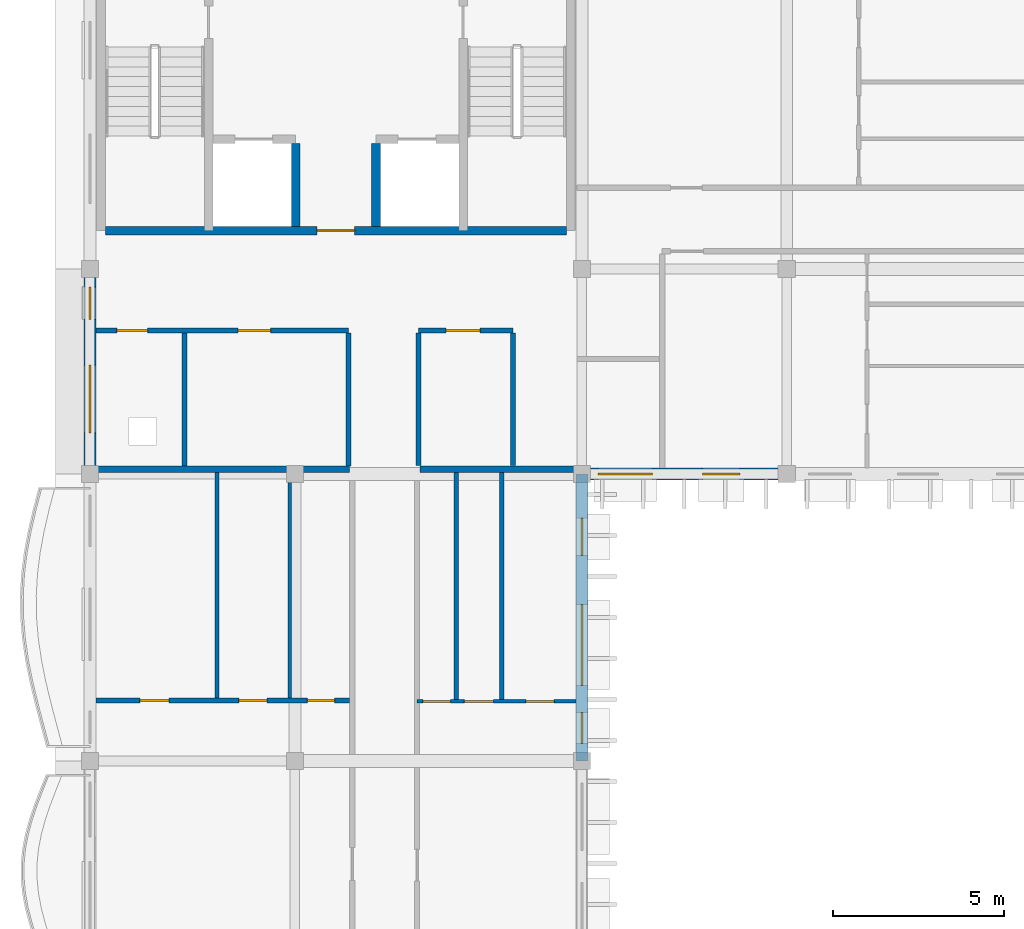
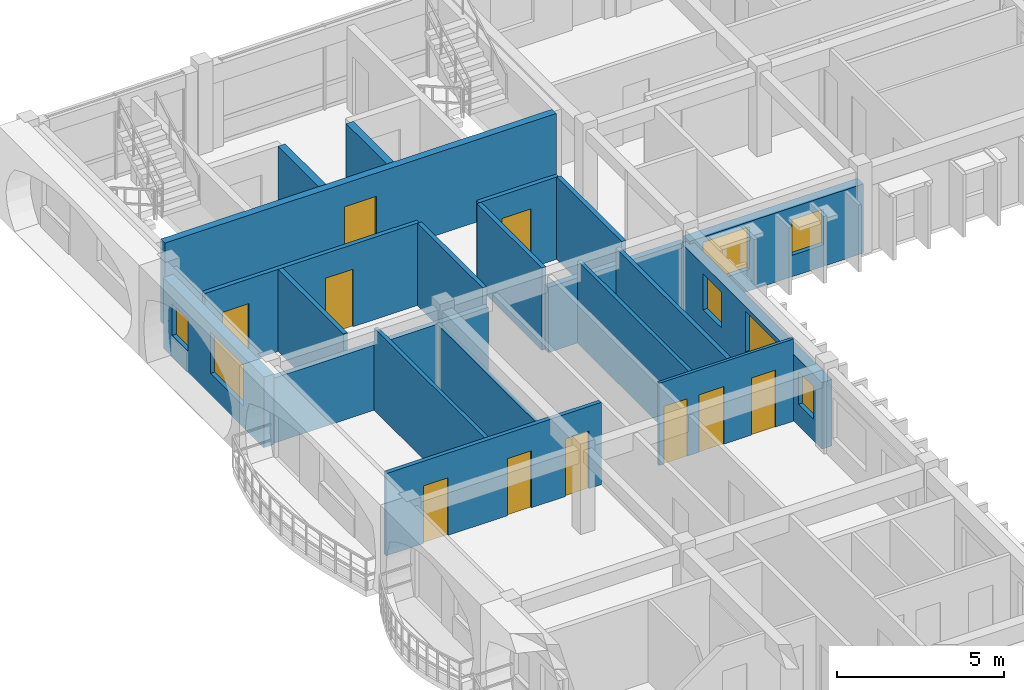
# One storey, part 5 of 11: 20 walls, 10 doors, 7 windows, 17 openings.
"""IFC4 building model written with IfcOpenShell, lengths in metres."""

import ifcopenshell
import ifcopenshell.guid

model = None  # the IFC model being written
_history = None  # IfcOwnerHistory: only IFC2X3 demands one
_inside = {}  # id of a spatial element -> (the spatial element, [elements in it])
_under = {}  # id of a project, library or spatial element -> (it, [spatial elements below it])
_declared = {}  # id of a project -> (the project, [libraries it declares])
_typed = {}  # id of a type object -> (the type object, [elements of that type])
_made_of = {}  # id of a material, layer set ... -> (it, [elements and type objects made of it])


def new_model(schema):
    """Start an empty IFC model of exactly this schema.

    Asked for "IFC4X3", IfcOpenShell would pick the latest addendum, in which some entities
    have other attributes; the version numbers below select the first issue.
    IFC2X3 requires an IfcOwnerHistory on every rooted entity: one is made here for all.
    """
    global model, _history
    if schema == "IFC4X3":
        model = ifcopenshell.file(schema_version=(4, 3, 0, 0))
    else:
        model = ifcopenshell.file(schema=schema)
    _inside.clear()
    _under.clear()
    _declared.clear()
    _typed.clear()
    _made_of.clear()
    _history = None
    if model.schema == "IFC2X3":
        org = make("IfcOrganization", Name="unknown")
        user = make(
            "IfcPersonAndOrganization",
            ThePerson=make("IfcPerson", FamilyName="unknown"),
            TheOrganization=org,
        )
        app = make(
            "IfcApplication",
            ApplicationDeveloper=org,
            Version="unknown",
            ApplicationFullName="unknown",
            ApplicationIdentifier="unknown",
        )
        _history = make(
            "IfcOwnerHistory",
            OwningUser=user,
            OwningApplication=app,
            ChangeAction="ADDED",
            CreationDate=0,
        )
    return model


def make(cls, **values):
    """One entity of the class cls with the attributes given. An attribute that is None is left unset."""
    return model.create_entity(
        cls, **{name: value for name, value in values.items() if value is not None}
    )


def rooted(cls, **values):
    """An entity with a GlobalId (a new one), such as an element, a storey or a relation."""
    return make(cls, GlobalId=ifcopenshell.guid.new(), OwnerHistory=_history, **values)


def si_unit(unit_type, name, prefix=None):
    """IfcSIUnit, for example si_unit("LENGTHUNIT", "METRE", prefix="MILLI")."""
    return make("IfcSIUnit", UnitType=unit_type, Prefix=prefix, Name=name)


def assignment(units):
    """IfcUnitAssignment: the units of a project."""
    return None if units is None else make("IfcUnitAssignment", Units=units)


def point(xyz):
    """IfcCartesianPoint."""
    return None if xyz is None else make("IfcCartesianPoint", Coordinates=xyz)


def direction(xyz):
    """IfcDirection."""
    return None if xyz is None else make("IfcDirection", DirectionRatios=xyz)


def frame(location, z_axis=None, x_axis=None):
    """IfcAxis2Placement3D, a coordinate frame: its origin and axes. An axis left out is left unset."""
    return make(
        "IfcAxis2Placement3D",
        Location=point(location),
        Axis=direction(z_axis),
        RefDirection=direction(x_axis),
    )


def frame_2d(location, x_axis=None):
    """IfcAxis2Placement2D, a coordinate frame in the plane: its origin and x axis."""
    return make(
        "IfcAxis2Placement2D", Location=point(location), RefDirection=direction(x_axis)
    )


def origin():
    """The frame at (0, 0, 0) with its axes left unset."""
    return frame((0.0, 0.0, 0.0))


def place(relative_to, where):
    """IfcLocalPlacement: puts the frame where relative to a parent placement (None: the world)."""
    return make(
        "IfcLocalPlacement", PlacementRelTo=relative_to, RelativePlacement=where
    )


def context(
    kind, dimensions, precision=None, world=None, true_north=None, identifier=None
):
    """IfcGeometricRepresentationContext, for example the 3D "Model" context."""
    return make(
        "IfcGeometricRepresentationContext",
        ContextIdentifier=identifier,
        ContextType=kind,
        CoordinateSpaceDimension=dimensions,
        Precision=precision,
        WorldCoordinateSystem=world,
        TrueNorth=true_north,
    )


def subcontext(parent, identifier, kind, view, scale=None):
    """IfcGeometricRepresentationSubContext, for example "Body" below "Model"."""
    return make(
        "IfcGeometricRepresentationSubContext",
        ContextIdentifier=identifier,
        ContextType=kind,
        ParentContext=parent,
        TargetScale=scale,
        TargetView=view,
    )


def project(units=None, contexts=None):
    """IfcProject with its units and contexts."""
    return rooted(
        "IfcProject",
        Name="project",
        RepresentationContexts=contexts,
        UnitsInContext=assignment(units),
    )


def spatial(cls, under=None, at=None, **own):
    """A site, building, storey or space (cls), placed at a placement, below another one or the project."""
    s = rooted(cls, ObjectPlacement=at, **own)
    if under is not None:
        _under.setdefault(under.id(), (under, []))[1].append(s)
    return s


def profile(cls, at=None, kind="AREA", **sizes):
    """A parametric profile (cls). Its sizes go by their IFC names, for example OverallWidth=200.0."""
    return make(cls, ProfileType=kind, Position=at, **sizes)


def rectangle(**sizes):
    """IfcRectangleProfileDef."""
    return profile("IfcRectangleProfileDef", **sizes)


def extrude(swept, where, along, depth):
    """IfcExtrudedAreaSolid: the profile swept, set in the frame where, extruded along a direction by depth."""
    return make(
        "IfcExtrudedAreaSolid",
        SweptArea=swept,
        Position=where,
        ExtrudedDirection=direction(along),
        Depth=depth,
    )


def shape(context_of_items, identifier, shape_type, items):
    """IfcShapeRepresentation: the items that make up one representation, for example the "Body"."""
    return make(
        "IfcShapeRepresentation",
        ContextOfItems=context_of_items,
        RepresentationIdentifier=identifier,
        RepresentationType=shape_type,
        Items=items,
    )


def material(Name=None, Category=None):
    """IfcMaterial."""
    return make("IfcMaterial", Name=Name, Category=Category)


def layer(
    of_material, thickness, ventilated=None, Name=None, Category=None, Priority=None
):
    """IfcMaterialLayer: one layer of a wall or slab, of a material (None: an air gap)."""
    return make(
        "IfcMaterialLayer",
        Material=of_material,
        LayerThickness=thickness,
        IsVentilated=ventilated,
        Name=Name,
        Category=Category,
        Priority=Priority,
    )


def layer_set(layers, Name=None):
    """IfcMaterialLayerSet."""
    return make("IfcMaterialLayerSet", MaterialLayers=layers, LayerSetName=Name)


def made_of(thing, what):
    """Note that an element or type object is made of a material, layer set ...; save() writes the relation."""
    if what is not None:
        _made_of.setdefault(what.id(), (what, []))[1].append(thing)
    return thing


def type_object(cls, material=None, **own):
    """A type object (cls), such as IfcWallType, which elements share."""
    return made_of(rooted(cls, **own), material)


def element(
    cls,
    number,
    at=None,
    inside=None,
    cuts=None,
    type_object=None,
    material=None,
    context=None,
    identifier="Body",
    shape_type=None,
    held_by="IfcProductDefinitionShape",
    body=None,
    shapes=None,
    **own,
):
    """One element of the class cls, such as IfcWall. Its Tag is "e" and its number.

    at: its placement. inside: the storey or other place that contains it. cuts: it is an
    opening in that element (IfcRelVoidsElement). A single representation is given by context,
    identifier, shape_type and body (its items); several are given by shapes. held_by: the class
    of the entity that holds the representations. save() writes the other relations.
    """
    e = rooted(cls, Tag="e%d" % number, ObjectPlacement=at, **own)
    if body is not None:
        shapes = [shape(context, identifier, shape_type, body)]
    if shapes is not None:
        e.Representation = make(held_by, Representations=shapes)
    if inside is not None:
        _inside.setdefault(inside.id(), (inside, []))[1].append(e)
    if cuts is not None:
        rooted(
            "IfcRelVoidsElement", RelatingBuildingElement=cuts, RelatedOpeningElement=e
        )
    if type_object is not None:
        _typed.setdefault(type_object.id(), (type_object, []))[1].append(e)
    return made_of(e, material)


def fill(opening, filler):
    """IfcRelFillsElement: the door or window that sits in an opening."""
    return rooted(
        "IfcRelFillsElement",
        RelatingOpeningElement=opening,
        RelatedBuildingElement=filler,
    )


def aggregate(whole, parts):
    """IfcRelAggregates: a whole, such as a stair, and the parts it consists of."""
    return rooted("IfcRelAggregates", RelatingObject=whole, RelatedObjects=parts)


def save(model, path):
    """Write the relations noted so far, then the file.

    IfcRelAggregates (storeys below a building ...), IfcRelContainedInSpatialStructure (elements
    in a storey), IfcRelDefinesByType, IfcRelAssociatesMaterial and IfcRelDeclares: one each for
    every whole, place, type object, material and project.
    """
    for whole, parts in _under.values():
        aggregate(whole, parts)
    for where, things in _inside.values():
        rooted(
            "IfcRelContainedInSpatialStructure",
            RelatedElements=things,
            RelatingStructure=where,
        )
    for kind, things in _typed.values():
        rooted("IfcRelDefinesByType", RelatedObjects=things, RelatingType=kind)
    for what, things in _made_of.values():
        rooted("IfcRelAssociatesMaterial", RelatedObjects=things, RelatingMaterial=what)
    for by, libraries in _declared.values():
        rooted("IfcRelDeclares", RelatingContext=by, RelatedDefinitions=libraries)
    model.write(path)


model = new_model("IFC4")

# Units and contexts
model_context = context("Model", 3, precision=1e-05, world=origin(), true_north=direction((0.0, 1.0)))
body_context = subcontext(model_context, "Body", "Model", "MODEL_VIEW")
ifc_project = project(units=[si_unit("LENGTHUNIT", "METRE"), si_unit("AREAUNIT", "SQUARE_METRE"), si_unit("VOLUMEUNIT", "CUBIC_METRE"), si_unit("PLANEANGLEUNIT", "RADIAN"), si_unit("MASSUNIT", "GRAM", prefix="KILO"), si_unit("THERMODYNAMICTEMPERATUREUNIT", "KELVIN")], contexts=[model_context])

# Site, building, storey
site_placement = place(None, origin())
site = spatial("IfcSite", under=ifc_project, at=site_placement, CompositionType="ELEMENT")
building_placement = place(site_placement, origin())
building = spatial("IfcBuilding", under=site, at=building_placement, Name="Thalorik Housing Commons", CompositionType="ELEMENT")
storey_placement = place(building_placement, frame((0.0, 0.0, 47.699951171875)))
storey = spatial("IfcBuildingStorey", under=building, at=storey_placement, Name="L14", CompositionType="ELEMENT", Elevation=47.699951171875)

# Walls
ifc_material_1 = material(Name="Concrete C40/50", Category="concrete")
ifc_layer_1 = layer(ifc_material_1, 0.25, Name="Concrete C40/50", Category="concrete")
ifc_layer_set_1 = layer_set([ifc_layer_1], Name="Concrete C40/50")
wall_type_1 = type_object("IfcWallType", Name="ARC-WAL-CORE-250", PredefinedType="SHEAR", material=ifc_layer_set_1)
for number, where, z_axis, x_axis, name in (
    (1, (14.425048828125, 118.875, 0.0), (0.0, 0.0, 1.0), (0.0, -1.0, 0.0), "L14 Lift 1 Cheek Wall"),
    (2, (16.77490234375, 118.875, 0.0), (0.0, 0.0, 1.0), (0.0, -1.0, 0.0), "L14 Lift 2 Cheek Wall"),
):
    element("IfcWall", number, at=place(storey_placement, frame(where, z_axis=z_axis, x_axis=x_axis)), inside=storey, type_object=wall_type_1, Name=name, PredefinedType="SHEAR", context=body_context, shape_type="SweptSolid", body=[
        extrude(rectangle(XDim=2.425048828125, YDim=0.25, at=frame_2d((1.21240234375, 0.0))), origin(), (0.0, 0.0, 1.0), 3.0),
    ])

# Wall, opening, door
wall_1_placement = place(storey_placement, frame((8.85009765625, 116.324951171875, 0.0), z_axis=(0.0, 0.0, 1.0), x_axis=(1.0, 0.0, 0.0)))
wall_1 = element("IfcWall", 3, at=wall_1_placement, inside=storey, type_object=wall_type_1, Name="L14 Core A Spine Shear Wall", PredefinedType="SHEAR", context=body_context, shape_type="SweptSolid", body=[
    extrude(rectangle(XDim=13.5, YDim=0.25, at=frame_2d((6.75, 0.0))), origin(), (0.0, 0.0, 1.0), 3.0),
])
opening_1_placement = place(wall_1_placement, frame((6.199951171875, 0.0, 0.0)))
opening_1 = element("IfcOpeningElement", 4, at=opening_1_placement, cuts=wall_1, Name="Opening ID-0125", PredefinedType="OPENING", context=body_context, shape_type="SweptSolid", body=[
    extrude(rectangle(XDim=1.10009765625, YDim=2.14990234375, at=frame_2d((0.550048828125, 1.074951171875))), frame((0.0, 0.135009765625, 0.0), z_axis=(0.0, -1.0, 0.0), x_axis=(1.0, 0.0, 0.0)), (0.0, 0.0, 1.0), 0.27001953125),
])
ifc_material_2 = material(Name="Steel S355", Category="steel")
door_type_1 = type_object("IfcDoorType", Name="ARC-DR-FD60-1100", OperationType="NOTDEFINED", PredefinedType="DOOR", material=ifc_material_2)
door_1_placement = place(opening_1_placement, origin())
door_1 = element("IfcDoor", 5, at=door_1_placement, inside=storey, type_object=door_type_1, Name="L14 Core A Lobby Fire Door", OperationType="SINGLE_SWING_RIGHT", OverallHeight=2.14990234375, OverallWidth=1.10009765625, PredefinedType="DOOR", context=body_context, shape_type="SweptSolid", body=[
    extrude(rectangle(XDim=1.10009765625, YDim=2.14990234375, at=frame_2d((0.550048828125, 1.074951171875))), frame((0.0, 0.02490234375, 0.0), z_axis=(0.0, -1.0, 0.0), x_axis=(1.0, 0.0, 0.0)), (0.0, 0.0, 1.0), 0.050048828125),
])
fill(opening_1, door_1)

# Wall, openings, windows
ifc_material_3 = material(Name="White precast concrete C40/50", Category="concrete")
ifc_layer_2 = layer(ifc_material_3, 0.35009765625, Name="White precast concrete C40/50", Category="concrete")
ifc_layer_set_2 = layer_set([ifc_layer_2], Name="White precast concrete C40/50")
wall_type_2 = type_object("IfcWallType", Name="ARC-WAL-EXT-350", PredefinedType="STANDARD", material=ifc_layer_set_2)
wall_2_placement = place(storey_placement, frame((22.800048828125, 109.199951171875, 0.0), z_axis=(0.0, 0.0, 1.0), x_axis=(1.0, 0.0, 0.0)))
wall_2 = element("IfcWall", 6, at=wall_2_placement, inside=storey, type_object=wall_type_2, Name="L14 Exterior Wall WAL-EXT-L14-A-0333", PredefinedType="STANDARD", context=body_context, shape_type="SweptSolid", body=[
    extrude(rectangle(XDim=6.0, YDim=0.35009765625, at=frame_2d((3.0, 0.0))), origin(), (0.0, 0.0, 1.0), 2.525146484375),
])
opening_2_placement = place(wall_2_placement, frame((0.469970703125, 0.0, 0.780029296875)))
opening_2 = element("IfcOpeningElement", 7, at=opening_2_placement, cuts=wall_2, Name="Opening W-13", PredefinedType="OPENING", context=body_context, shape_type="SweptSolid", body=[
    extrude(rectangle(XDim=1.60009765625, YDim=1.550048828125, at=frame_2d((0.800048828125, 0.77490234375))), frame((0.0, 0.18505859375, 0.0), z_axis=(0.0, -1.0, 0.0), x_axis=(1.0, 0.0, 0.0)), (0.0, 0.0, 1.0), 0.3701171875),
])
opening_3_placement = place(wall_2_placement, frame((3.530029296875, 0.0, 0.780029296875)))
opening_3 = element("IfcOpeningElement", 8, at=opening_3_placement, cuts=wall_2, Name="Opening W-03", PredefinedType="OPENING", context=body_context, shape_type="SweptSolid", body=[
    extrude(rectangle(XDim=1.10009765625, YDim=1.300048828125, at=frame_2d((0.550048828125, 0.64990234375))), frame((0.0, 0.18505859375, 0.0), z_axis=(0.0, -1.0, 0.0), x_axis=(1.0, 0.0, 0.0)), (0.0, 0.0, 1.0), 0.3701171875),
])
ifc_material_4 = material(Name="Anodised aluminium and solar-control low-E glass", Category="aluminium")
window_type_1 = type_object("IfcWindowType", Name="ARC-WIN-03", PartitioningType="SINGLE_PANEL", PredefinedType="WINDOW", material=ifc_material_4)
window_1_placement = place(opening_3_placement, origin())
window_1 = element("IfcWindow", 9, at=window_1_placement, inside=storey, type_object=window_type_1, Name="L14 Facade Window 595", OverallHeight=1.300048828125, OverallWidth=1.10009765625, PartitioningType="SINGLE_PANEL", PredefinedType="WINDOW", context=body_context, shape_type="SweptSolid", body=[
    extrude(rectangle(XDim=1.10009765625, YDim=1.300048828125, at=frame_2d((0.550048828125, 0.64990234375))), frame((0.0, 0.030029296875, 0.0), z_axis=(0.0, -1.0, 0.0), x_axis=(1.0, 0.0, 0.0)), (0.0, 0.0, 1.0), 0.06005859375),
])
fill(opening_3, window_1)
window_type_2 = type_object("IfcWindowType", Name="ARC-WIN-13", PartitioningType="DOUBLE_PANEL_VERTICAL", PredefinedType="WINDOW", material=ifc_material_4)
window_2_placement = place(opening_2_placement, origin())
window_2 = element("IfcWindow", 10, at=window_2_placement, inside=storey, type_object=window_type_2, Name="L14 Facade Window 594", OverallHeight=1.550048828125, OverallWidth=1.60009765625, PartitioningType="DOUBLE_PANEL_VERTICAL", PredefinedType="WINDOW", context=body_context, shape_type="SweptSolid", body=[
    extrude(rectangle(XDim=1.60009765625, YDim=1.550048828125, at=frame_2d((0.800048828125, 0.77490234375))), frame((0.0, 0.030029296875, 0.0), z_axis=(0.0, -1.0, 0.0), x_axis=(1.0, 0.0, 0.0)), (0.0, 0.0, 1.0), 0.06005859375),
])
fill(opening_2, window_2)

wall_3_placement = place(storey_placement, frame((8.39990234375, 115.199951171875, 0.0), z_axis=(0.0, 0.0, 1.0), x_axis=(0.0, -1.0, 0.0)))
wall_3 = element("IfcWall", 11, at=wall_3_placement, inside=storey, type_object=wall_type_2, Name="L14 Exterior Wall WAL-EXT-L14-A-0342", PredefinedType="STANDARD", context=body_context, shape_type="SweptSolid", body=[
    extrude(rectangle(XDim=6.0, YDim=0.35009765625, at=frame_2d((3.0, 0.0))), origin(), (0.0, 0.0, 1.0), 2.574951171875),
])
opening_4_placement = place(wall_3_placement, frame((0.52001953125, 0.0, 0.780029296875)))
opening_4 = element("IfcOpeningElement", 12, at=opening_4_placement, cuts=wall_3, Name="Opening W-43", PredefinedType="OPENING", context=body_context, shape_type="SweptSolid", body=[
    extrude(rectangle(XDim=0.949951171875, YDim=1.14990234375, at=frame_2d((0.47509765625, 0.574951171875))), frame((0.0, 0.18505859375, 0.0), z_axis=(0.0, -1.0, 0.0), x_axis=(1.0, 0.0, 0.0)), (0.0, 0.0, 1.0), 0.3701171875),
])
opening_5_placement = place(wall_3_placement, frame((2.81494140625, 0.0, 0.780029296875)))
opening_5 = element("IfcOpeningElement", 13, at=opening_5_placement, cuts=wall_3, Name="Opening W-61", PredefinedType="OPENING", context=body_context, shape_type="SweptSolid", body=[
    extrude(rectangle(XDim=1.97998046875, YDim=1.5, at=frame_2d((0.989990234375, 0.75))), frame((0.0, 0.18505859375, 0.0), z_axis=(0.0, -1.0, 0.0), x_axis=(1.0, 0.0, 0.0)), (0.0, 0.0, 1.0), 0.3701171875),
])
window_type_3 = type_object("IfcWindowType", Name="ARC-WIN-43", PartitioningType="SINGLE_PANEL", PredefinedType="WINDOW", material=ifc_material_4)
window_3_placement = place(opening_4_placement, origin())
window_3 = element("IfcWindow", 14, at=window_3_placement, inside=storey, type_object=window_type_3, Name="L14 Facade Window 609", OverallHeight=1.14990234375, OverallWidth=0.949951171875, PartitioningType="SINGLE_PANEL", PredefinedType="WINDOW", context=body_context, shape_type="SweptSolid", body=[
    extrude(rectangle(XDim=0.949951171875, YDim=1.14990234375, at=frame_2d((0.47509765625, 0.574951171875))), frame((0.0, 0.030029296875, 0.0), z_axis=(0.0, -1.0, 0.0), x_axis=(1.0, 0.0, 0.0)), (0.0, 0.0, 1.0), 0.06005859375),
])
fill(opening_4, window_3)
window_type_4 = type_object("IfcWindowType", Name="ARC-WIN-61", PartitioningType="DOUBLE_PANEL_VERTICAL", PredefinedType="WINDOW", material=ifc_material_4)
window_4_placement = place(opening_5_placement, origin())
window_4 = element("IfcWindow", 15, at=window_4_placement, inside=storey, type_object=window_type_4, Name="L14 Facade Window 610", OverallHeight=1.5, OverallWidth=1.97998046875, PartitioningType="DOUBLE_PANEL_VERTICAL", PredefinedType="WINDOW", context=body_context, shape_type="SweptSolid", body=[
    extrude(rectangle(XDim=1.97998046875, YDim=1.5, at=frame_2d((0.989990234375, 0.75))), frame((0.0, 0.030029296875, 0.0), z_axis=(0.0, -1.0, 0.0), x_axis=(1.0, 0.0, 0.0)), (0.0, 0.0, 1.0), 0.06005859375),
])
fill(opening_5, window_4)

wall_4_placement = place(storey_placement, frame((22.800048828125, 100.800048828125, 0.0), z_axis=(0.0, 0.0, 1.0), x_axis=(0.0, 1.0, 0.0)))
wall_4 = element("IfcWall", 16, at=wall_4_placement, inside=storey, type_object=wall_type_2, Name="L14 Exterior Wall WAL-EXT-L14-A-0350", PredefinedType="STANDARD", context=body_context, shape_type="SweptSolid", body=[
    extrude(rectangle(XDim=8.39990234375, YDim=0.35009765625, at=frame_2d((4.199951171875, 0.0))), origin(), (0.0, 0.0, 1.0), 2.425048828125),
])
opening_6_placement = place(wall_4_placement, frame((0.5166015625, 0.0, 0.780029296875)))
opening_6 = element("IfcOpeningElement", 17, at=opening_6_placement, cuts=wall_4, Name="Opening W-01", PredefinedType="OPENING", context=body_context, shape_type="SweptSolid", body=[
    extrude(rectangle(XDim=0.89990234375, YDim=1.199951171875, at=frame_2d((0.449951171875, 0.60009765625))), frame((0.0, 0.18505859375, 0.0), z_axis=(0.0, -1.0, 0.0), x_axis=(1.0, 0.0, 0.0)), (0.0, 0.0, 1.0), 0.3701171875),
])
opening_7_placement = place(wall_4_placement, frame((2.204833984375, 0.0, 0.780029296875)))
opening_7 = element("IfcOpeningElement", 18, at=opening_7_placement, cuts=wall_4, Name="Opening W-69", PredefinedType="OPENING", context=body_context, shape_type="SweptSolid", body=[
    extrude(rectangle(XDim=2.3798828125, YDim=1.47998046875, at=frame_2d((1.18994140625, 0.739990234375))), frame((0.0, 0.18505859375, 0.0), z_axis=(0.0, -1.0, 0.0), x_axis=(1.0, 0.0, 0.0)), (0.0, 0.0, 1.0), 0.3701171875),
])
opening_8_placement = place(wall_4_placement, frame((6.00830078125, 0.0, 0.780029296875)))
opening_8 = element("IfcOpeningElement", 19, at=opening_8_placement, cuts=wall_4, Name="Opening W-03", PredefinedType="OPENING", context=body_context, shape_type="SweptSolid", body=[
    extrude(rectangle(XDim=1.10009765625, YDim=1.300048828125, at=frame_2d((0.550048828125, 0.64990234375))), frame((0.0, 0.18505859375, 0.0), z_axis=(0.0, -1.0, 0.0), x_axis=(1.0, 0.0, 0.0)), (0.0, 0.0, 1.0), 0.3701171875),
])
window_type_5 = type_object("IfcWindowType", Name="ARC-WIN-01", PartitioningType="SINGLE_PANEL", PredefinedType="WINDOW", material=ifc_material_4)
window_5_placement = place(opening_6_placement, origin())
window_5 = element("IfcWindow", 20, at=window_5_placement, inside=storey, type_object=window_type_5, Name="L14 Facade Window 627", OverallHeight=1.199951171875, OverallWidth=0.89990234375, PartitioningType="SINGLE_PANEL", PredefinedType="WINDOW", context=body_context, shape_type="SweptSolid", body=[
    extrude(rectangle(XDim=0.89990234375, YDim=1.199951171875, at=frame_2d((0.449951171875, 0.60009765625))), frame((0.0, 0.030029296875, 0.0), z_axis=(0.0, -1.0, 0.0), x_axis=(1.0, 0.0, 0.0)), (0.0, 0.0, 1.0), 0.06005859375),
])
fill(opening_6, window_5)
window_6_placement = place(opening_8_placement, origin())
window_6 = element("IfcWindow", 21, at=window_6_placement, inside=storey, type_object=window_type_1, Name="L14 Facade Window 629", OverallHeight=1.300048828125, OverallWidth=1.10009765625, PartitioningType="SINGLE_PANEL", PredefinedType="WINDOW", context=body_context, shape_type="SweptSolid", body=[
    extrude(rectangle(XDim=1.10009765625, YDim=1.300048828125, at=frame_2d((0.550048828125, 0.64990234375))), frame((0.0, 0.030029296875, 0.0), z_axis=(0.0, -1.0, 0.0), x_axis=(1.0, 0.0, 0.0)), (0.0, 0.0, 1.0), 0.06005859375),
])
fill(opening_8, window_6)
window_type_6 = type_object("IfcWindowType", Name="ARC-WIN-69", PartitioningType="DOUBLE_PANEL_VERTICAL", PredefinedType="WINDOW", material=ifc_material_4)
window_7_placement = place(opening_7_placement, origin())
window_7 = element("IfcWindow", 22, at=window_7_placement, inside=storey, type_object=window_type_6, Name="L14 Facade Window 628", OverallHeight=1.47998046875, OverallWidth=2.3798828125, PartitioningType="DOUBLE_PANEL_VERTICAL", PredefinedType="WINDOW", context=body_context, shape_type="SweptSolid", body=[
    extrude(rectangle(XDim=2.3798828125, YDim=1.47998046875, at=frame_2d((1.18994140625, 0.739990234375))), frame((0.0, 0.030029296875, 0.0), z_axis=(0.0, -1.0, 0.0), x_axis=(1.0, 0.0, 0.0)), (0.0, 0.0, 1.0), 0.06005859375),
])
fill(opening_7, window_7)

# Wall, openings, doors
ifc_material_5 = material(Name="Gypsum light stud partition", Category="masonry")
ifc_layer_3 = layer(ifc_material_5, 0.10009765625, Name="Gypsum light stud partition", Category="masonry")
ifc_layer_set_3 = layer_set([ifc_layer_3], Name="Gypsum light stud partition")
wall_type_3 = type_object("IfcWallType", Name="ARC-WAL-PART-100", PredefinedType="PARTITIONING", material=ifc_layer_set_3)
wall_5_placement = place(storey_placement, frame((17.97998046875, 102.543212890625, 0.0), z_axis=(0.0, 0.0, 1.0), x_axis=(1.0, 0.0, 0.0)))
wall_5 = element("IfcWall", 23, at=wall_5_placement, inside=storey, type_object=wall_type_3, Name="L14 Unit 2B Spine Partition", PredefinedType="PARTITIONING", context=body_context, shape_type="SweptSolid", body=[
    extrude(rectangle(XDim=4.64306640625, YDim=0.10009765625, at=frame_2d((2.321533203125, 0.0))), origin(), (0.0, 0.0, 1.0), 3.0),
])
opening_9_placement = place(wall_5_placement, frame((0.171142578125, 0.0, 0.0)))
opening_9 = element("IfcOpeningElement", 24, at=opening_9_placement, cuts=wall_5, Name="Opening ID-0966", PredefinedType="OPENING", context=body_context, shape_type="SweptSolid", body=[
    extrude(rectangle(XDim=0.800048828125, YDim=2.10009765625, at=frame_2d((0.39990234375, 1.050048828125))), frame((0.0, 0.06005859375, 0.0), z_axis=(0.0, -1.0, 0.0), x_axis=(1.0, 0.0, 0.0)), (0.0, 0.0, 1.0), 0.1201171875),
])
opening_10_placement = place(wall_5_placement, frame((1.3837890625, 0.0, 0.0)))
opening_10 = element("IfcOpeningElement", 25, at=opening_10_placement, cuts=wall_5, Name="Opening ID-0967", PredefinedType="OPENING", context=body_context, shape_type="SweptSolid", body=[
    extrude(rectangle(XDim=0.85009765625, YDim=2.10009765625, at=frame_2d((0.425048828125, 1.050048828125))), frame((0.0, 0.06005859375, 0.0), z_axis=(0.0, -1.0, 0.0), x_axis=(1.0, 0.0, 0.0)), (0.0, 0.0, 1.0), 0.1201171875),
])
opening_11_placement = place(wall_5_placement, frame((3.192626953125, 0.0, 0.0)))
opening_11 = element("IfcOpeningElement", 26, at=opening_11_placement, cuts=wall_5, Name="Opening ID-0968", PredefinedType="OPENING", context=body_context, shape_type="SweptSolid", body=[
    extrude(rectangle(XDim=0.820068359375, YDim=2.080078125, at=frame_2d((0.41015625, 1.0400390625))), frame((0.0, 0.06005859375, 0.0), z_axis=(0.0, -1.0, 0.0), x_axis=(1.0, 0.0, 0.0)), (0.0, 0.0, 1.0), 0.1201171875),
])
ifc_material_6 = material(Name="Moisture-resistant timber", Category="wood")
door_type_2 = type_object("IfcDoorType", Name="ARC-DR-INT-800", OperationType="NOTDEFINED", PredefinedType="DOOR", material=ifc_material_6)
door_2_placement = place(opening_9_placement, origin())
door_2 = element("IfcDoor", 27, at=door_2_placement, inside=storey, type_object=door_type_2, Name="L14 Flat Bathroom Door", OperationType="SINGLE_SWING_LEFT", OverallHeight=2.10009765625, OverallWidth=0.800048828125, PredefinedType="DOOR", context=body_context, shape_type="SweptSolid", body=[
    extrude(rectangle(XDim=0.800048828125, YDim=2.10009765625, at=frame_2d((0.39990234375, 1.050048828125))), frame((0.0, 0.02490234375, 0.0), z_axis=(0.0, -1.0, 0.0), x_axis=(1.0, 0.0, 0.0)), (0.0, 0.0, 1.0), 0.050048828125),
])
fill(opening_9, door_2)
ifc_material_7 = material(Name="Engineered oak timber", Category="wood")
door_type_3 = type_object("IfcDoorType", Name="ARC-DR-INT-820", OperationType="NOTDEFINED", PredefinedType="DOOR", material=ifc_material_7)
door_3_placement = place(opening_11_placement, origin())
door_3 = element("IfcDoor", 28, at=door_3_placement, inside=storey, type_object=door_type_3, Name="L14 Double Bedroom Door", OperationType="SINGLE_SWING_LEFT", OverallHeight=2.080078125, OverallWidth=0.820068359375, PredefinedType="DOOR", context=body_context, shape_type="SweptSolid", body=[
    extrude(rectangle(XDim=0.820068359375, YDim=2.080078125, at=frame_2d((0.41015625, 1.0400390625))), frame((0.0, 0.02490234375, 0.0), z_axis=(0.0, -1.0, 0.0), x_axis=(1.0, 0.0, 0.0)), (0.0, 0.0, 1.0), 0.050048828125),
])
fill(opening_11, door_3)
door_type_4 = type_object("IfcDoorType", Name="ARC-DR-INT-850", OperationType="NOTDEFINED", PredefinedType="DOOR", material=ifc_material_7)
door_4_placement = place(opening_10_placement, origin())
door_4 = element("IfcDoor", 29, at=door_4_placement, inside=storey, type_object=door_type_4, Name="L14 Galley Kitchen Door", OperationType="SINGLE_SWING_RIGHT", OverallHeight=2.10009765625, OverallWidth=0.85009765625, PredefinedType="DOOR", context=body_context, shape_type="SweptSolid", body=[
    extrude(rectangle(XDim=0.85009765625, YDim=2.10009765625, at=frame_2d((0.425048828125, 1.050048828125))), frame((0.0, 0.02490234375, 0.0), z_axis=(0.0, -1.0, 0.0), x_axis=(1.0, 0.0, 0.0)), (0.0, 0.0, 1.0), 0.050048828125),
])
fill(opening_10, door_4)

# Walls
ifc_material_8 = material(Name="Gypsum moisture-resistant partition", Category="masonry")
ifc_layer_4 = layer(ifc_material_8, 0.114990234375, Name="Gypsum moisture-resistant partition", Category="masonry")
ifc_layer_set_4 = layer_set([ifc_layer_4], Name="Gypsum moisture-resistant partition")
wall_type_4 = type_object("IfcWallType", Name="ARC-WAL-PART-115", PredefinedType="PARTITIONING", material=ifc_layer_set_4)
wall_6_placement = place(storey_placement, frame((14.251220703125, 102.64208984375, 0.0), z_axis=(0.0, 0.0, 1.0), x_axis=(0.0, 1.0, 0.0)))
element("IfcWall", 30, at=wall_6_placement, inside=storey, type_object=wall_type_4, Name="L14 Unit 2 Wet Wall", PredefinedType="PARTITIONING", context=body_context, shape_type="SweptSolid", body=[
    extrude(rectangle(XDim=6.603515625, YDim=0.114990234375, at=frame_2d((3.3017578125, 0.0))), origin(), (0.0, 0.0, 1.0), 2.425048828125),
])
ifc_material_9 = material(Name="Gypsum acoustic stud partition", Category="masonry")
ifc_layer_5 = layer(ifc_material_9, 0.125, Name="Gypsum acoustic stud partition", Category="masonry")
ifc_layer_set_5 = layer_set([ifc_layer_5], Name="Gypsum acoustic stud partition")
wall_type_5 = type_object("IfcWallType", Name="ARC-WAL-PART-125", PredefinedType="PARTITIONING", material=ifc_layer_set_5)
wall_7_placement = place(storey_placement, frame((12.11767578125, 102.64208984375, 0.0), z_axis=(0.0, 0.0, 1.0), x_axis=(0.0, 1.0, 0.0)))
element("IfcWall", 31, at=wall_7_placement, inside=storey, type_object=wall_type_5, Name="L14 Unit 2 Bedroom Partition", PredefinedType="PARTITIONING", context=body_context, shape_type="SweptSolid", body=[
    extrude(rectangle(XDim=6.603515625, YDim=0.125, at=frame_2d((3.3017578125, 0.0))), origin(), (0.0, 0.0, 1.0), 3.0),
])
wall_8_placement = place(storey_placement, frame((19.122314453125, 102.59521484375, 0.0), z_axis=(0.0, 0.0, 1.0), x_axis=(0.0, 1.0, 0.0)))
element("IfcWall", 32, at=wall_8_placement, inside=storey, type_object=wall_type_5, Name="L14 Unit 2B Wet Wall", PredefinedType="PARTITIONING", context=body_context, shape_type="SweptSolid", body=[
    extrude(rectangle(XDim=6.642822265625, YDim=0.125, at=frame_2d((3.3212890625, 0.0))), origin(), (0.0, 0.0, 1.0), 3.0),
])

# Wall, openings, doors
ifc_material_10 = material(Name="Ceramic masonry partition wall", Category="masonry")
ifc_layer_6 = layer(ifc_material_10, 0.139892578125, Name="Ceramic masonry partition wall", Category="masonry")
ifc_layer_set_6 = layer_set([ifc_layer_6], Name="Ceramic masonry partition wall")
wall_type_6 = type_object("IfcWallType", Name="ARC-WAL-PART-140", PredefinedType="PARTITIONING", material=ifc_layer_set_6)
wall_9_placement = place(storey_placement, frame((8.576904296875, 102.570068359375, 0.0), z_axis=(0.0, 0.0, 1.0), x_axis=(1.0, 0.0, 0.0)))
wall_9 = element("IfcWall", 33, at=wall_9_placement, inside=storey, type_object=wall_type_6, Name="L14 Unit 2 Spine Partition", PredefinedType="PARTITIONING", context=body_context, shape_type="SweptSolid", body=[
    extrude(rectangle(XDim=7.418701171875, YDim=0.139892578125, at=frame_2d((3.70947265625, 0.0))), origin(), (0.0, 0.0, 1.0), 3.0),
])
opening_12_placement = place(wall_9_placement, frame((1.286865234375, 0.0, 0.0)))
opening_12 = element("IfcOpeningElement", 34, at=opening_12_placement, cuts=wall_9, Name="Opening ID-0963", PredefinedType="OPENING", context=body_context, shape_type="SweptSolid", body=[
    extrude(rectangle(XDim=0.85009765625, YDim=2.10009765625, at=frame_2d((0.425048828125, 1.050048828125))), frame((0.0, 0.080078125, 0.0), z_axis=(0.0, -1.0, 0.0), x_axis=(1.0, 0.0, 0.0)), (0.0, 0.0, 1.0), 0.159912109375),
])
opening_13_placement = place(wall_9_placement, frame((4.182373046875, 0.0, 0.0)))
opening_13 = element("IfcOpeningElement", 35, at=opening_13_placement, cuts=wall_9, Name="Opening ID-0964", PredefinedType="OPENING", context=body_context, shape_type="SweptSolid", body=[
    extrude(rectangle(XDim=0.820068359375, YDim=2.080078125, at=frame_2d((0.41015625, 1.0400390625))), frame((0.0, 0.080078125, 0.0), z_axis=(0.0, -1.0, 0.0), x_axis=(1.0, 0.0, 0.0)), (0.0, 0.0, 1.0), 0.159912109375),
])
opening_14_placement = place(wall_9_placement, frame((6.188720703125, 0.0, 0.0)))
opening_14 = element("IfcOpeningElement", 36, at=opening_14_placement, cuts=wall_9, Name="Opening ID-0965", PredefinedType="OPENING", context=body_context, shape_type="SweptSolid", body=[
    extrude(rectangle(XDim=0.800048828125, YDim=2.10009765625, at=frame_2d((0.39990234375, 1.050048828125))), frame((0.0, 0.080078125, 0.0), z_axis=(0.0, -1.0, 0.0), x_axis=(1.0, 0.0, 0.0)), (0.0, 0.0, 1.0), 0.159912109375),
])
door_5_placement = place(opening_14_placement, origin())
door_5 = element("IfcDoor", 37, at=door_5_placement, inside=storey, type_object=door_type_2, Name="L14 Flat Bathroom Door", OperationType="SINGLE_SWING_RIGHT", OverallHeight=2.10009765625, OverallWidth=0.800048828125, PredefinedType="DOOR", context=body_context, shape_type="SweptSolid", body=[
    extrude(rectangle(XDim=0.800048828125, YDim=2.10009765625, at=frame_2d((0.39990234375, 1.050048828125))), frame((0.0, 0.02490234375, 0.0), z_axis=(0.0, -1.0, 0.0), x_axis=(1.0, 0.0, 0.0)), (0.0, 0.0, 1.0), 0.050048828125),
])
fill(opening_14, door_5)
door_6_placement = place(opening_13_placement, origin())
door_6 = element("IfcDoor", 38, at=door_6_placement, inside=storey, type_object=door_type_3, Name="L14 Eat-In Kitchen Door", OperationType="SINGLE_SWING_LEFT", OverallHeight=2.080078125, OverallWidth=0.820068359375, PredefinedType="DOOR", context=body_context, shape_type="SweptSolid", body=[
    extrude(rectangle(XDim=0.820068359375, YDim=2.080078125, at=frame_2d((0.41015625, 1.0400390625))), frame((0.0, 0.02490234375, 0.0), z_axis=(0.0, -1.0, 0.0), x_axis=(1.0, 0.0, 0.0)), (0.0, 0.0, 1.0), 0.050048828125),
])
fill(opening_13, door_6)
door_7_placement = place(opening_12_placement, origin())
door_7 = element("IfcDoor", 39, at=door_7_placement, inside=storey, type_object=door_type_4, Name="L14 Master Bedroom Door", OperationType="SINGLE_SWING_RIGHT", OverallHeight=2.10009765625, OverallWidth=0.85009765625, PredefinedType="DOOR", context=body_context, shape_type="SweptSolid", body=[
    extrude(rectangle(XDim=0.85009765625, YDim=2.10009765625, at=frame_2d((0.425048828125, 1.050048828125))), frame((0.0, 0.02490234375, 0.0), z_axis=(0.0, -1.0, 0.0), x_axis=(1.0, 0.0, 0.0)), (0.0, 0.0, 1.0), 0.050048828125),
])
fill(opening_12, door_7)

# Walls
wall_10_placement = place(storey_placement, frame((20.455078125, 102.59521484375, 0.0), z_axis=(0.0, 0.0, 1.0), x_axis=(0.0, 1.0, 0.0)))
element("IfcWall", 40, at=wall_10_placement, inside=storey, type_object=wall_type_6, Name="L14 Unit 2B Bedroom Partition", PredefinedType="PARTITIONING", context=body_context, shape_type="SweptSolid", body=[
    extrude(rectangle(XDim=6.642822265625, YDim=0.139892578125, at=frame_2d((3.3212890625, 0.0))), origin(), (0.0, 0.0, 1.0), 3.0),
])
ifc_layer_7 = layer(ifc_material_10, 0.14794921875, Name="Ceramic masonry partition wall", Category="masonry")
ifc_layer_set_7 = layer_set([ifc_layer_7], Name="Ceramic masonry partition wall")
wall_type_7 = type_object("IfcWallType", Name="ARC-WAL-PART-150", PredefinedType="PARTITIONING", material=ifc_layer_set_7)
for number, where, z_axis, x_axis, name in (
    (41, (11.175048828125, 113.323974609375, 0.0), (0.0, 0.0, 1.0), (0.0, -1.0, 0.0), "Riser Wall"),
    (42, (15.97509765625, 113.323974609375, 0.0), (0.0, 0.0, 1.0), (0.0, -1.0, 0.0), "Core Stem West Cheek Wall"),
):
    element("IfcWall", number, at=place(storey_placement, frame(where, z_axis=z_axis, x_axis=x_axis)), inside=storey, type_object=wall_type_7, Name=name, PredefinedType="PARTITIONING", context=body_context, shape_type="SweptSolid", body=[
        extrude(rectangle(XDim=3.889404296875, YDim=0.14794921875, at=frame_2d((1.94482421875, 0.0))), origin(), (0.0, 0.0, 1.0), 3.0),
    ])
for number, where, z_axis, x_axis, name in (
    (43, (18.02490234375, 113.323974609375, 0.0), (0.0, 0.0, 1.0), (0.0, -1.0, 0.0), "Core Stem East Cheek Wall"),
    (44, (20.780029296875, 113.323974609375, 0.0), (0.0, 0.0, 1.0), (0.0, -1.0, 0.0), "Core East Enclosing Wall"),
):
    element("IfcWall", number, at=place(storey_placement, frame(where, z_axis=z_axis, x_axis=x_axis)), inside=storey, type_object=wall_type_7, Name=name, PredefinedType="PARTITIONING", context=body_context, shape_type="SweptSolid", body=[
        extrude(rectangle(XDim=3.882080078125, YDim=0.14794921875, at=frame_2d((1.94091796875, 0.0))), origin(), (0.0, 0.0, 1.0), 3.0),
    ])

# Wall, openings, doors
wall_11_placement = place(storey_placement, frame((8.576904296875, 113.39990234375, 0.0), z_axis=(0.0, 0.0, 1.0), x_axis=(1.0, 0.0, 0.0)))
wall_11 = element("IfcWall", 45, at=wall_11_placement, inside=storey, type_object=wall_type_7, Name="L14 Core A West Corridor Partition", PredefinedType="PARTITIONING", context=body_context, shape_type="SweptSolid", body=[
    extrude(rectangle(XDim=7.398193359375, YDim=0.14794921875, at=frame_2d((3.69921875, 0.0))), origin(), (0.0, 0.0, 1.0), 3.0),
])
opening_15_placement = place(wall_11_placement, frame((0.613037109375, 0.0, 0.0)))
opening_15 = element("IfcOpeningElement", 46, at=opening_15_placement, cuts=wall_11, Name="Opening ID-0126", PredefinedType="OPENING", context=body_context, shape_type="SweptSolid", body=[
    extrude(rectangle(XDim=0.89990234375, YDim=2.10009765625, at=frame_2d((0.449951171875, 1.050048828125))), frame((0.0, 0.083984375, 0.0), z_axis=(0.0, -1.0, 0.0), x_axis=(1.0, 0.0, 0.0)), (0.0, 0.0, 1.0), 0.16796875),
])
opening_16_placement = place(wall_11_placement, frame((4.1630859375, 0.0, 0.0)))
opening_16 = element("IfcOpeningElement", 47, at=opening_16_placement, cuts=wall_11, Name="Opening ID-0127", PredefinedType="OPENING", context=body_context, shape_type="SweptSolid", body=[
    extrude(rectangle(XDim=0.949951171875, YDim=2.10009765625, at=frame_2d((0.47509765625, 1.050048828125))), frame((0.0, 0.083984375, 0.0), z_axis=(0.0, -1.0, 0.0), x_axis=(1.0, 0.0, 0.0)), (0.0, 0.0, 1.0), 0.16796875),
])
door_type_5 = type_object("IfcDoorType", Name="ARC-DR-FD60-900", OperationType="NOTDEFINED", PredefinedType="DOOR", material=ifc_material_2)
door_8_placement = place(opening_15_placement, origin())
door_8 = element("IfcDoor", 48, at=door_8_placement, inside=storey, type_object=door_type_5, Name="Electrical Riser Door", OperationType="SINGLE_SWING_LEFT", OverallHeight=2.10009765625, OverallWidth=0.89990234375, PredefinedType="DOOR", context=body_context, shape_type="SweptSolid", body=[
    extrude(rectangle(XDim=0.89990234375, YDim=2.10009765625, at=frame_2d((0.449951171875, 1.050048828125))), frame((0.0, 0.02490234375, 0.0), z_axis=(0.0, -1.0, 0.0), x_axis=(1.0, 0.0, 0.0)), (0.0, 0.0, 1.0), 0.050048828125),
])
fill(opening_15, door_8)
door_type_6 = type_object("IfcDoorType", Name="ARC-DR-INT-950", OperationType="NOTDEFINED", PredefinedType="DOOR", material=ifc_material_7)
door_9_placement = place(opening_16_placement, origin())
door_9 = element("IfcDoor", 49, at=door_9_placement, inside=storey, type_object=door_type_6, Name="Accessible Bathroom Door", OperationType="SINGLE_SWING_RIGHT", OverallHeight=2.10009765625, OverallWidth=0.949951171875, PredefinedType="DOOR", context=body_context, shape_type="SweptSolid", body=[
    extrude(rectangle(XDim=0.949951171875, YDim=2.10009765625, at=frame_2d((0.47509765625, 1.050048828125))), frame((0.0, 0.02490234375, 0.0), z_axis=(0.0, -1.0, 0.0), x_axis=(1.0, 0.0, 0.0)), (0.0, 0.0, 1.0), 0.050048828125),
])
fill(opening_16, door_9)

# Wall, opening, door
wall_12_placement = place(storey_placement, frame((18.02490234375, 113.39990234375, 0.0), z_axis=(0.0, 0.0, 1.0), x_axis=(1.0, 0.0, 0.0)))
wall_12 = element("IfcWall", 50, at=wall_12_placement, inside=storey, type_object=wall_type_7, Name="L14 Core A East Corridor Partition", PredefinedType="PARTITIONING", context=body_context, shape_type="SweptSolid", body=[
    extrude(rectangle(XDim=2.755126953125, YDim=0.14794921875, at=frame_2d((1.37744140625, 0.0))), origin(), (0.0, 0.0, 1.0), 3.0),
])
opening_17_placement = place(wall_12_placement, frame((0.800048828125, 0.0, 0.0)))
opening_17 = element("IfcOpeningElement", 51, at=opening_17_placement, cuts=wall_12, Name="Opening ID-0128", PredefinedType="OPENING", context=body_context, shape_type="SweptSolid", body=[
    extrude(rectangle(XDim=1.0, YDim=2.14990234375, at=frame_2d((0.5, 1.074951171875))), frame((0.0, 0.083984375, 0.0), z_axis=(0.0, -1.0, 0.0), x_axis=(1.0, 0.0, 0.0)), (0.0, 0.0, 1.0), 0.16796875),
])
door_type_7 = type_object("IfcDoorType", Name="ARC-DR-FD60-1000", OperationType="NOTDEFINED", PredefinedType="DOOR", material=ifc_material_2)
door_10_placement = place(opening_17_placement, origin())
door_10 = element("IfcDoor", 52, at=door_10_placement, inside=storey, type_object=door_type_7, Name="Core Hub Room Door", OperationType="SINGLE_SWING_LEFT", OverallHeight=2.14990234375, OverallWidth=1.0, PredefinedType="DOOR", context=body_context, shape_type="SweptSolid", body=[
    extrude(rectangle(XDim=1.0, YDim=2.14990234375, at=frame_2d((0.5, 1.074951171875))), frame((0.0, 0.02490234375, 0.0), z_axis=(0.0, -1.0, 0.0), x_axis=(1.0, 0.0, 0.0)), (0.0, 0.0, 1.0), 0.050048828125),
])
fill(opening_17, door_10)

# Walls
ifc_material_11 = material(Name="Masonry acoustic blockwork wall", Category="masonry")
ifc_layer_8 = layer(ifc_material_11, 0.18505859375, Name="Masonry acoustic blockwork wall", Category="masonry")
ifc_layer_set_8 = layer_set([ifc_layer_8], Name="Masonry acoustic blockwork wall")
wall_type_8 = type_object("IfcWallType", Name="ARC-WAL-PARTY-185", PredefinedType="PARTITIONING", material=ifc_layer_set_8)
wall_13_placement = place(storey_placement, frame((8.576904296875, 109.340087890625, 0.0), z_axis=(0.0, 0.0, 1.0), x_axis=(1.0, 0.0, 0.0)))
element("IfcWall", 53, at=wall_13_placement, inside=storey, type_object=wall_type_8, Name="L14 Core End Wall A", PredefinedType="PARTITIONING", context=body_context, shape_type="SweptSolid", body=[
    extrude(rectangle(XDim=7.418701171875, YDim=0.18505859375, at=frame_2d((3.70947265625, 0.0))), origin(), (0.0, 0.0, 1.0), 2.375),
])
ifc_material_12 = material(Name="Precast concrete C40/50 acoustic wall", Category="concrete")
ifc_layer_9 = layer(ifc_material_12, 0.199951171875, Name="Precast concrete C40/50 acoustic wall", Category="concrete")
ifc_layer_set_9 = layer_set([ifc_layer_9], Name="Precast concrete C40/50 acoustic wall")
wall_type_9 = type_object("IfcWallType", Name="ARC-WAL-PARTY-200", PredefinedType="PARTITIONING", material=ifc_layer_set_9)
wall_14_placement = place(storey_placement, frame((18.056884765625, 109.340087890625, 0.0), z_axis=(0.0, 0.0, 1.0), x_axis=(1.0, 0.0, 0.0)))
element("IfcWall", 54, at=wall_14_placement, inside=storey, type_object=wall_type_9, Name="L14 Core End Wall B", PredefinedType="PARTITIONING", context=body_context, shape_type="SweptSolid", body=[
    extrude(rectangle(XDim=4.68310546875, YDim=0.199951171875, at=frame_2d((2.341552734375, 0.0))), origin(), (0.0, 0.0, 1.0), 2.375),
])

save(model, "model.ifc")
